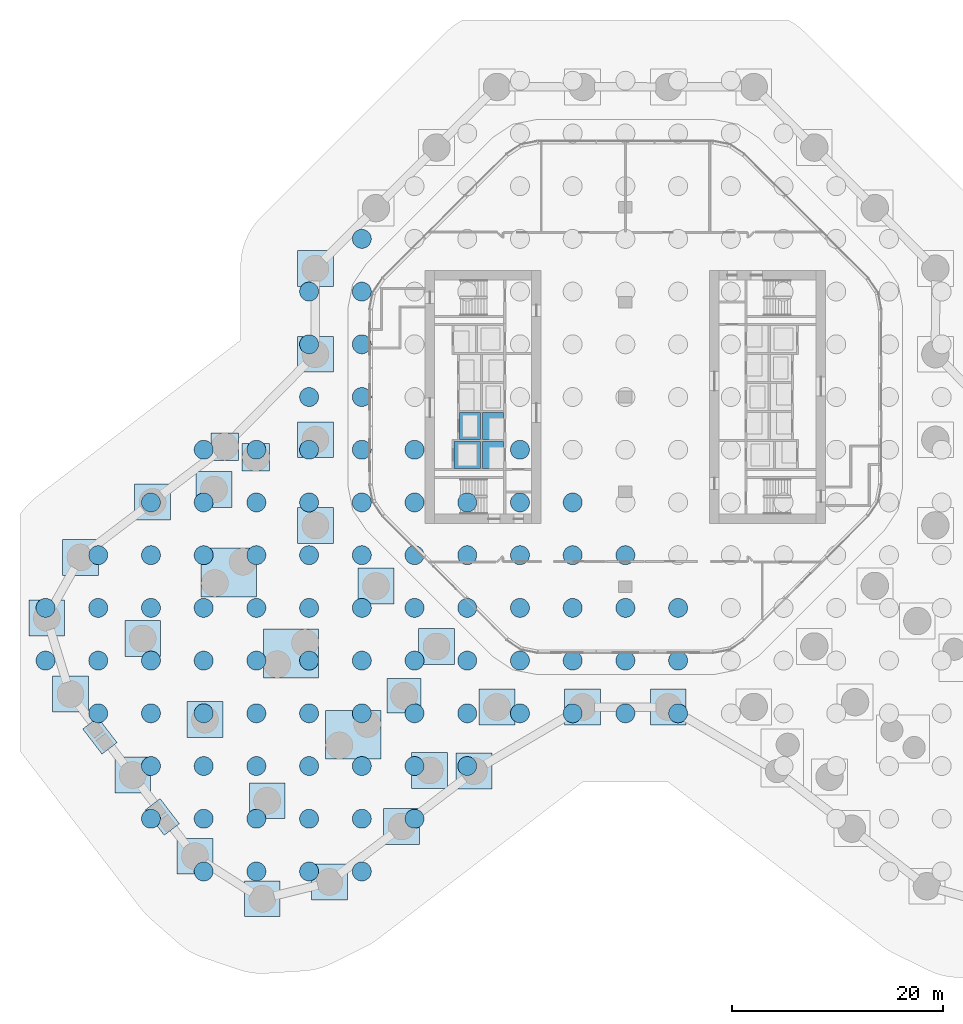
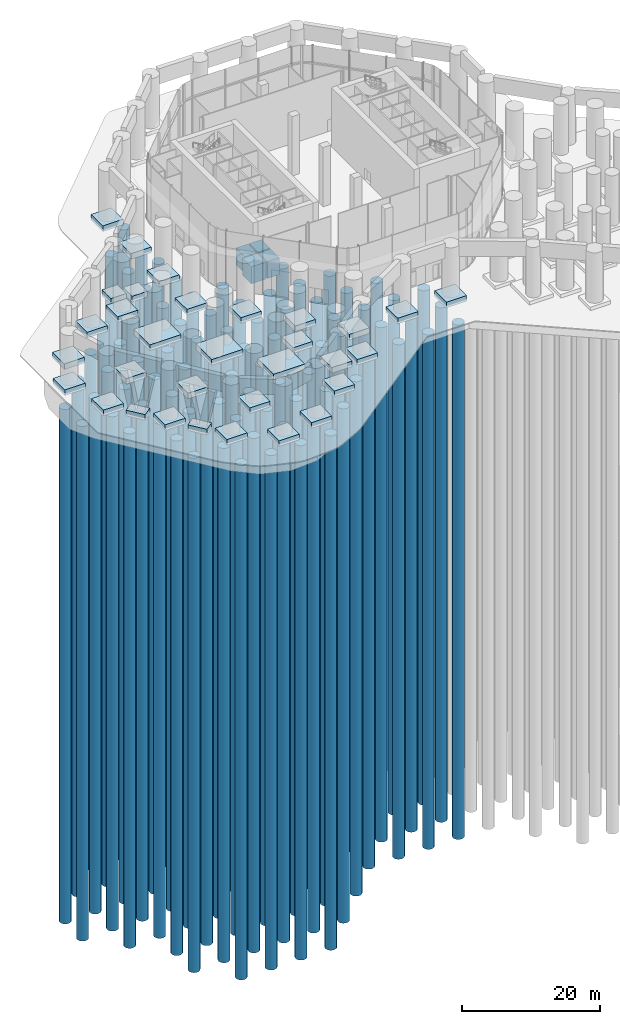
# One storey, part 1 of 31: 88 piles, 36 footings.
"""IFC4 building model written with IfcOpenShell, lengths in metres."""

import ifcopenshell
import ifcopenshell.guid

model = None  # the IFC model being written
_history = None  # IfcOwnerHistory: only IFC2X3 demands one
_inside = {}  # id of a spatial element -> (the spatial element, [elements in it])
_under = {}  # id of a project, library or spatial element -> (it, [spatial elements below it])
_declared = {}  # id of a project -> (the project, [libraries it declares])
_typed = {}  # id of a type object -> (the type object, [elements of that type])
_made_of = {}  # id of a material, layer set ... -> (it, [elements and type objects made of it])


def new_model(schema):
    """Start an empty IFC model of exactly this schema.

    Asked for "IFC4X3", IfcOpenShell would pick the latest addendum, in which some entities
    have other attributes; the version numbers below select the first issue.
    IFC2X3 requires an IfcOwnerHistory on every rooted entity: one is made here for all.
    """
    global model, _history
    if schema == "IFC4X3":
        model = ifcopenshell.file(schema_version=(4, 3, 0, 0))
    else:
        model = ifcopenshell.file(schema=schema)
    _inside.clear()
    _under.clear()
    _declared.clear()
    _typed.clear()
    _made_of.clear()
    _history = None
    if model.schema == "IFC2X3":
        org = make("IfcOrganization", Name="unknown")
        user = make(
            "IfcPersonAndOrganization",
            ThePerson=make("IfcPerson", FamilyName="unknown"),
            TheOrganization=org,
        )
        app = make(
            "IfcApplication",
            ApplicationDeveloper=org,
            Version="unknown",
            ApplicationFullName="unknown",
            ApplicationIdentifier="unknown",
        )
        _history = make(
            "IfcOwnerHistory",
            OwningUser=user,
            OwningApplication=app,
            ChangeAction="ADDED",
            CreationDate=0,
        )
    return model


def make(cls, **values):
    """One entity of the class cls with the attributes given. An attribute that is None is left unset."""
    return model.create_entity(
        cls, **{name: value for name, value in values.items() if value is not None}
    )


def rooted(cls, **values):
    """An entity with a GlobalId (a new one), such as an element, a storey or a relation."""
    return make(cls, GlobalId=ifcopenshell.guid.new(), OwnerHistory=_history, **values)


def si_unit(unit_type, name, prefix=None):
    """IfcSIUnit, for example si_unit("LENGTHUNIT", "METRE", prefix="MILLI")."""
    return make("IfcSIUnit", UnitType=unit_type, Prefix=prefix, Name=name)


def assignment(units):
    """IfcUnitAssignment: the units of a project."""
    return None if units is None else make("IfcUnitAssignment", Units=units)


def point(xyz):
    """IfcCartesianPoint."""
    return None if xyz is None else make("IfcCartesianPoint", Coordinates=xyz)


def direction(xyz):
    """IfcDirection."""
    return None if xyz is None else make("IfcDirection", DirectionRatios=xyz)


def frame(location, z_axis=None, x_axis=None):
    """IfcAxis2Placement3D, a coordinate frame: its origin and axes. An axis left out is left unset."""
    return make(
        "IfcAxis2Placement3D",
        Location=point(location),
        Axis=direction(z_axis),
        RefDirection=direction(x_axis),
    )


def frame_2d(location, x_axis=None):
    """IfcAxis2Placement2D, a coordinate frame in the plane: its origin and x axis."""
    return make(
        "IfcAxis2Placement2D", Location=point(location), RefDirection=direction(x_axis)
    )


def origin():
    """The frame at (0, 0, 0) with its axes left unset."""
    return frame((0.0, 0.0, 0.0))


def origin_2d():
    """The frame at (0, 0) in the plane with its x axis left unset."""
    return frame_2d((0.0, 0.0))


def place(relative_to, where):
    """IfcLocalPlacement: puts the frame where relative to a parent placement (None: the world)."""
    return make(
        "IfcLocalPlacement", PlacementRelTo=relative_to, RelativePlacement=where
    )


def context(
    kind, dimensions, precision=None, world=None, true_north=None, identifier=None
):
    """IfcGeometricRepresentationContext, for example the 3D "Model" context."""
    return make(
        "IfcGeometricRepresentationContext",
        ContextIdentifier=identifier,
        ContextType=kind,
        CoordinateSpaceDimension=dimensions,
        Precision=precision,
        WorldCoordinateSystem=world,
        TrueNorth=true_north,
    )


def subcontext(parent, identifier, kind, view, scale=None):
    """IfcGeometricRepresentationSubContext, for example "Body" below "Model"."""
    return make(
        "IfcGeometricRepresentationSubContext",
        ContextIdentifier=identifier,
        ContextType=kind,
        ParentContext=parent,
        TargetScale=scale,
        TargetView=view,
    )


def project(units=None, contexts=None):
    """IfcProject with its units and contexts."""
    return rooted(
        "IfcProject",
        Name="project",
        RepresentationContexts=contexts,
        UnitsInContext=assignment(units),
    )


def spatial(cls, under=None, at=None, **own):
    """A site, building, storey or space (cls), placed at a placement, below another one or the project."""
    s = rooted(cls, ObjectPlacement=at, **own)
    if under is not None:
        _under.setdefault(under.id(), (under, []))[1].append(s)
    return s


def polyline(points):
    """IfcPolyline through the points."""
    return make("IfcPolyline", Points=[point(p) for p in points])


def profile(cls, at=None, kind="AREA", **sizes):
    """A parametric profile (cls). Its sizes go by their IFC names, for example OverallWidth=200.0."""
    return make(cls, ProfileType=kind, Position=at, **sizes)


def circle(**sizes):
    """IfcCircleProfileDef."""
    return profile("IfcCircleProfileDef", **sizes)


def outline(outer, holes=None, kind="AREA"):
    """IfcArbitraryClosedProfileDef: a profile drawn as a closed curve; with holes, ...WithVoids."""
    if holes is None:
        return make("IfcArbitraryClosedProfileDef", ProfileType=kind, OuterCurve=outer)
    return make(
        "IfcArbitraryProfileDefWithVoids",
        ProfileType=kind,
        OuterCurve=outer,
        InnerCurves=holes,
    )


def extrude(swept, where, along, depth):
    """IfcExtrudedAreaSolid: the profile swept, set in the frame where, extruded along a direction by depth."""
    return make(
        "IfcExtrudedAreaSolid",
        SweptArea=swept,
        Position=where,
        ExtrudedDirection=direction(along),
        Depth=depth,
    )


def shape(context_of_items, identifier, shape_type, items):
    """IfcShapeRepresentation: the items that make up one representation, for example the "Body"."""
    return make(
        "IfcShapeRepresentation",
        ContextOfItems=context_of_items,
        RepresentationIdentifier=identifier,
        RepresentationType=shape_type,
        Items=items,
    )


def material(Name=None, Category=None):
    """IfcMaterial."""
    return make("IfcMaterial", Name=Name, Category=Category)


def layer(
    of_material, thickness, ventilated=None, Name=None, Category=None, Priority=None
):
    """IfcMaterialLayer: one layer of a wall or slab, of a material (None: an air gap)."""
    return make(
        "IfcMaterialLayer",
        Material=of_material,
        LayerThickness=thickness,
        IsVentilated=ventilated,
        Name=Name,
        Category=Category,
        Priority=Priority,
    )


def layer_set(layers, Name=None):
    """IfcMaterialLayerSet."""
    return make("IfcMaterialLayerSet", MaterialLayers=layers, LayerSetName=Name)


def material_profile(
    of_material, cross_section, Name=None, Category=None, Priority=None
):
    """IfcMaterialProfile: a cross section and its material."""
    return make(
        "IfcMaterialProfile",
        Name=Name,
        Material=of_material,
        Profile=cross_section,
        Priority=Priority,
        Category=Category,
    )


def profile_set(profiles, Name=None, composite=None):
    """IfcMaterialProfileSet."""
    return make(
        "IfcMaterialProfileSet",
        Name=Name,
        MaterialProfiles=profiles,
        CompositeProfile=composite,
    )


def made_of(thing, what):
    """Note that an element or type object is made of a material, layer set ...; save() writes the relation."""
    if what is not None:
        _made_of.setdefault(what.id(), (what, []))[1].append(thing)
    return thing


def type_object(cls, material=None, **own):
    """A type object (cls), such as IfcWallType, which elements share."""
    return made_of(rooted(cls, **own), material)


def element(
    cls,
    number,
    at=None,
    inside=None,
    cuts=None,
    type_object=None,
    material=None,
    context=None,
    identifier="Body",
    shape_type=None,
    held_by="IfcProductDefinitionShape",
    body=None,
    shapes=None,
    **own,
):
    """One element of the class cls, such as IfcWall. Its Tag is "e" and its number.

    at: its placement. inside: the storey or other place that contains it. cuts: it is an
    opening in that element (IfcRelVoidsElement). A single representation is given by context,
    identifier, shape_type and body (its items); several are given by shapes. held_by: the class
    of the entity that holds the representations. save() writes the other relations.
    """
    e = rooted(cls, Tag="e%d" % number, ObjectPlacement=at, **own)
    if body is not None:
        shapes = [shape(context, identifier, shape_type, body)]
    if shapes is not None:
        e.Representation = make(held_by, Representations=shapes)
    if inside is not None:
        _inside.setdefault(inside.id(), (inside, []))[1].append(e)
    if cuts is not None:
        rooted(
            "IfcRelVoidsElement", RelatingBuildingElement=cuts, RelatedOpeningElement=e
        )
    if type_object is not None:
        _typed.setdefault(type_object.id(), (type_object, []))[1].append(e)
    return made_of(e, material)


def aggregate(whole, parts):
    """IfcRelAggregates: a whole, such as a stair, and the parts it consists of."""
    return rooted("IfcRelAggregates", RelatingObject=whole, RelatedObjects=parts)


def save(model, path):
    """Write the relations noted so far, then the file.

    IfcRelAggregates (storeys below a building ...), IfcRelContainedInSpatialStructure (elements
    in a storey), IfcRelDefinesByType, IfcRelAssociatesMaterial and IfcRelDeclares: one each for
    every whole, place, type object, material and project.
    """
    for whole, parts in _under.values():
        aggregate(whole, parts)
    for where, things in _inside.values():
        rooted(
            "IfcRelContainedInSpatialStructure",
            RelatedElements=things,
            RelatingStructure=where,
        )
    for kind, things in _typed.values():
        rooted("IfcRelDefinesByType", RelatedObjects=things, RelatingType=kind)
    for what, things in _made_of.values():
        rooted("IfcRelAssociatesMaterial", RelatedObjects=things, RelatingMaterial=what)
    for by, libraries in _declared.values():
        rooted("IfcRelDeclares", RelatingContext=by, RelatedDefinitions=libraries)
    model.write(path)


model = new_model("IFC4")

# Units and contexts
model_context = context("Model", 3, precision=1e-05, world=origin(), true_north=direction((0.0, 1.0)))
body_context = subcontext(model_context, "Body", "Model", "MODEL_VIEW")
ifc_project = project(units=[si_unit("LENGTHUNIT", "METRE"), si_unit("AREAUNIT", "SQUARE_METRE"), si_unit("VOLUMEUNIT", "CUBIC_METRE"), si_unit("PLANEANGLEUNIT", "RADIAN"), si_unit("MASSUNIT", "GRAM", prefix="KILO")], contexts=[model_context])

# Site, building, storey
site_placement = place(None, origin())
site = spatial("IfcSite", under=ifc_project, at=site_placement, CompositionType="ELEMENT")
building_placement = place(site_placement, origin())
building = spatial("IfcBuilding", under=site, at=building_placement, Name="Orlundy Tower", CompositionType="ELEMENT")
storey_placement = place(building_placement, origin())
storey = spatial("IfcBuildingStorey", under=building, at=storey_placement, Name="L00", CompositionType="ELEMENT", Elevation=0.0)

# Piles
ifc_material_1 = material(Name="Concrete C40/50", Category="concrete")
ifc_material_profile = material_profile(ifc_material_1, circle(Radius=0.89990234375, at=origin_2d()), Name="BP1800")
ifc_profile_set = profile_set([ifc_material_profile], Name="Concrete C40/50")
pile_type = type_object("IfcPileType", Name="BORED PILE 1800 C40/50", PredefinedType="BORED", material=ifc_profile_set)
for number, where, z_axis, x_axis, name in (
    (1, (-40.0, -45.0, -4.39990234375), (0.0, 0.0, -1.0), (1.0, 0.0, 0.0), "Bored pile 001"),
    (2, (-35.0, -45.0, -4.39990234375), (0.0, 0.0, -1.0), (1.0, 0.0, 0.0), "Bored pile 002"),
    (3, (-30.0, -45.0, -4.39990234375), (0.0, 0.0, -1.0), (1.0, 0.0, 0.0), "Bored pile 003"),
    (4, (-25.0, -45.0, -4.39990234375), (0.0, 0.0, -1.0), (1.0, 0.0, 0.0), "Bored pile 004"),
    (5, (-45.0, -40.0, -4.39990234375), (0.0, 0.0, -1.0), (1.0, 0.0, 0.0), "Bored pile 009"),
    (6, (-40.0, -40.0, -4.39990234375), (0.0, 0.0, -1.0), (1.0, 0.0, 0.0), "Bored pile 010"),
    (7, (-35.0, -40.0, -4.39990234375), (0.0, 0.0, -1.0), (1.0, 0.0, 0.0), "Bored pile 011"),
    (8, (-30.0, -40.0, -4.39990234375), (0.0, 0.0, -1.0), (1.0, 0.0, 0.0), "Bored pile 012"),
    (9, (-25.0, -40.0, -4.39990234375), (0.0, 0.0, -1.0), (1.0, 0.0, 0.0), "Bored pile 013"),
    (10, (-20.0, -40.0, -4.39990234375), (0.0, 0.0, -1.0), (1.0, 0.0, 0.0), "Bored pile 014"),
    (11, (-45.0, -35.0, -4.39990234375), (0.0, 0.0, -1.0), (1.0, 0.0, 0.0), "Bored pile 021"),
    (12, (-40.0, -35.0, -4.39990234375), (0.0, 0.0, -1.0), (1.0, 0.0, 0.0), "Bored pile 022"),
    (13, (-35.0, -35.0, -4.39990234375), (0.0, 0.0, -1.0), (1.0, 0.0, 0.0), "Bored pile 023"),
    (14, (-30.0, -35.0, -4.39990234375), (0.0, 0.0, -1.0), (1.0, 0.0, 0.0), "Bored pile 024"),
    (15, (-25.0, -35.0, -4.39990234375), (0.0, 0.0, -1.0), (1.0, 0.0, 0.0), "Bored pile 025"),
    (16, (-20.0, -35.0, -4.39990234375), (0.0, 0.0, -1.0), (1.0, 0.0, 0.0), "Bored pile 026"),
    (17, (-15.0, -35.0, -4.39990234375), (0.0, 0.0, -1.0), (1.0, 0.0, 0.0), "Bored pile 027"),
    (18, (-50.0, -30.0, -4.39990234375), (0.0, 0.0, -1.0), (1.0, 0.0, 0.0), "Bored pile 036"),
    (19, (-45.0, -30.0, -4.39990234375), (0.0, 0.0, -1.0), (1.0, 0.0, 0.0), "Bored pile 037"),
    (20, (-40.0, -30.0, -4.39990234375), (0.0, 0.0, -1.0), (1.0, 0.0, 0.0), "Bored pile 038"),
    (21, (-35.0, -30.0, -4.39990234375), (0.0, 0.0, -1.0), (1.0, 0.0, 0.0), "Bored pile 039"),
    (22, (-30.0, -30.0, -4.39990234375), (0.0, 0.0, -1.0), (1.0, 0.0, 0.0), "Bored pile 040"),
    (23, (-25.0, -30.0, -4.39990234375), (0.0, 0.0, -1.0), (1.0, 0.0, 0.0), "Bored pile 041"),
    (24, (-20.0, -30.0, -4.39990234375), (0.0, 0.0, -1.0), (1.0, 0.0, 0.0), "Bored pile 042"),
    (25, (-15.0, -30.0, -4.39990234375), (0.0, 0.0, -1.0), (1.0, 0.0, 0.0), "Bored pile 043"),
    (26, (-10.0, -30.0, -4.39990234375), (0.0, 0.0, -1.0), (1.0, 0.0, 0.0), "Bored pile 044"),
    (27, (-5.0, -30.0, -4.39990234375), (0.0, 0.0, -1.0), (1.0, 0.0, 0.0), "Bored pile 045"),
    (28, (0.0, -30.0, -4.39990234375), (0.0, 0.0, -1.0), (1.0, 0.0, 0.0), "Bored pile 046"),
    (29, (5.0, -30.0, -4.39990234375), (0.0, 0.0, -1.0), (1.0, 0.0, 0.0), "Bored pile 047"),
    (30, (-55.0, -25.0, -4.39990234375), (0.0, 0.0, -1.0), (1.0, 0.0, 0.0), "Bored pile 057"),
    (31, (-50.0, -25.0, -4.39990234375), (0.0, 0.0, -1.0), (1.0, 0.0, 0.0), "Bored pile 058"),
    (32, (-45.0, -25.0, -4.39990234375), (0.0, 0.0, -1.0), (1.0, 0.0, 0.0), "Bored pile 059"),
    (33, (-40.0, -25.0, -4.39990234375), (0.0, 0.0, -1.0), (1.0, 0.0, 0.0), "Bored pile 060"),
    (34, (-35.0, -25.0, -4.39990234375), (0.0, 0.0, -1.0), (1.0, 0.0, 0.0), "Bored pile 061"),
    (35, (-30.0, -25.0, -4.39990234375), (0.0, 0.0, -1.0), (1.0, 0.0, 0.0), "Bored pile 062"),
    (36, (-25.0, -25.0, -4.39990234375), (0.0, 0.0, -1.0), (1.0, 0.0, 0.0), "Bored pile 063"),
    (37, (-20.0, -25.0, -4.39990234375), (0.0, 0.0, -1.0), (1.0, 0.0, 0.0), "Bored pile 064"),
    (38, (-15.0, -25.0, -4.39990234375), (0.0, 0.0, -1.0), (1.0, 0.0, 0.0), "Bored pile 065"),
    (39, (-10.0, -25.0, -4.39990234375), (0.0, 0.0, -1.0), (1.0, 0.0, 0.0), "Bored pile 066"),
    (40, (-5.0, -25.0, -4.39990234375), (0.0, 0.0, -1.0), (1.0, 0.0, 0.0), "Bored pile 067"),
    (41, (0.0, -25.0, -4.39990234375), (0.0, 0.0, -1.0), (1.0, 0.0, 0.0), "Bored pile 068"),
    (42, (5.0, -25.0, -4.39990234375), (0.0, 0.0, -1.0), (1.0, 0.0, 0.0), "Bored pile 069"),
    (43, (-55.0, -20.0, -4.39990234375), (0.0, 0.0, -1.0), (1.0, 0.0, 0.0), "Bored pile 080"),
    (44, (-50.0, -20.0, -4.39990234375), (0.0, 0.0, -1.0), (1.0, 0.0, 0.0), "Bored pile 081"),
    (45, (-45.0, -20.0, -4.39990234375), (0.0, 0.0, -1.0), (1.0, 0.0, 0.0), "Bored pile 082"),
    (46, (-40.0, -20.0, -4.39990234375), (0.0, 0.0, -1.0), (1.0, 0.0, 0.0), "Bored pile 083"),
    (47, (-35.0, -20.0, -4.39990234375), (0.0, 0.0, -1.0), (1.0, 0.0, 0.0), "Bored pile 084"),
    (48, (-30.0, -20.0, -4.39990234375), (0.0, 0.0, -1.0), (1.0, 0.0, 0.0), "Bored pile 085"),
    (49, (-25.0, -20.0, -4.39990234375), (0.0, 0.0, -1.0), (1.0, 0.0, 0.0), "Bored pile 086"),
    (50, (-20.0, -20.0, -4.39990234375), (0.0, 0.0, -1.0), (1.0, 0.0, 0.0), "Bored pile 087"),
    (51, (-15.0, -20.0, -4.39990234375), (0.0, 0.0, -1.0), (1.0, 0.0, 0.0), "Bored pile 088"),
    (52, (-10.0, -20.0, -4.39990234375), (0.0, 0.0, -1.0), (1.0, 0.0, 0.0), "Bored pile 089"),
    (53, (-5.0, -20.0, -4.39990234375), (0.0, 0.0, -1.0), (1.0, 0.0, 0.0), "Bored pile 090"),
    (54, (0.0, -20.0, -4.39990234375), (0.0, 0.0, -1.0), (1.0, 0.0, 0.0), "Bored pile 091"),
    (55, (5.0, -20.0, -4.39990234375), (0.0, 0.0, -1.0), (1.0, 0.0, 0.0), "Bored pile 092"),
    (56, (-50.0, -15.0, -4.39990234375), (0.0, 0.0, -1.0), (1.0, 0.0, 0.0), "Bored pile 103"),
    (57, (-45.0, -15.0, -4.39990234375), (0.0, 0.0, -1.0), (1.0, 0.0, 0.0), "Bored pile 104"),
    (58, (-40.0, -15.0, -4.39990234375), (0.0, 0.0, -1.0), (1.0, 0.0, 0.0), "Bored pile 105"),
    (59, (-35.0, -15.0, -4.39990234375), (0.0, 0.0, -1.0), (1.0, 0.0, 0.0), "Bored pile 106"),
    (60, (-30.0, -15.0, -4.39990234375), (0.0, 0.0, -1.0), (1.0, 0.0, 0.0), "Bored pile 107"),
    (61, (-25.0, -15.0, -4.39990234375), (0.0, 0.0, -1.0), (1.0, 0.0, 0.0), "Bored pile 108"),
    (62, (-20.0, -15.0, -4.39990234375), (0.0, 0.0, -1.0), (1.0, 0.0, 0.0), "Bored pile 109"),
    (63, (-15.0, -15.0, -4.39990234375), (0.0, 0.0, -1.0), (1.0, 0.0, 0.0), "Bored pile 110"),
    (64, (-10.0, -15.0, -4.39990234375), (0.0, 0.0, -1.0), (1.0, 0.0, 0.0), "Bored pile 111"),
    (65, (-5.0, -15.0, -4.39990234375), (0.0, 0.0, -1.0), (1.0, 0.0, 0.0), "Bored pile 112"),
    (66, (0.0, -15.0, -4.39990234375), (0.0, 0.0, -1.0), (1.0, 0.0, 0.0), "Bored pile 113"),
    (67, (-45.0, -10.0, -4.39990234375), (0.0, 0.0, -1.0), (1.0, 0.0, 0.0), "Bored pile 124"),
    (68, (-40.0, -10.0, -4.39990234375), (0.0, 0.0, -1.0), (1.0, 0.0, 0.0), "Bored pile 125"),
    (69, (-35.0, -10.0, -4.39990234375), (0.0, 0.0, -1.0), (1.0, 0.0, 0.0), "Bored pile 126"),
    (70, (-30.0, -10.0, -4.39990234375), (0.0, 0.0, -1.0), (1.0, 0.0, 0.0), "Bored pile 127"),
    (71, (-25.0, -10.0, -4.39990234375), (0.0, 0.0, -1.0), (1.0, 0.0, 0.0), "Bored pile 128"),
    (72, (-20.0, -10.0, -4.39990234375), (0.0, 0.0, -1.0), (1.0, 0.0, 0.0), "Bored pile 129"),
    (73, (-15.0, -10.0, -4.39990234375), (0.0, 0.0, -1.0), (1.0, 0.0, 0.0), "Bored pile 130"),
    (74, (-10.0, -10.0, -4.39990234375), (0.0, 0.0, -1.0), (1.0, 0.0, 0.0), "Bored pile 131"),
    (75, (-5.0, -10.0, -4.39990234375), (0.0, 0.0, -1.0), (1.0, 0.0, 0.0), "Bored pile 132"),
    (76, (-40.0, -5.0, -4.39990234375), (0.0, 0.0, -1.0), (1.0, 0.0, 0.0), "Bored pile 143"),
    (77, (-35.0, -5.0, -4.39990234375), (0.0, 0.0, -1.0), (1.0, 0.0, 0.0), "Bored pile 144"),
    (78, (-30.0, -5.0, -4.39990234375), (0.0, 0.0, -1.0), (1.0, 0.0, 0.0), "Bored pile 145"),
    (79, (-25.0, -5.0, -4.39990234375), (0.0, 0.0, -1.0), (1.0, 0.0, 0.0), "Bored pile 146"),
    (80, (-20.0, -5.0, -4.39990234375), (0.0, 0.0, -1.0), (1.0, 0.0, 0.0), "Bored pile 147"),
    (81, (-10.0, -5.0, -4.39990234375), (0.0, 0.0, -1.0), (1.0, 0.0, 0.0), "Bored pile 148"),
    (82, (-30.0, 0.0, -4.39990234375), (0.0, 0.0, -1.0), (1.0, 0.0, 0.0), "Bored pile 158"),
    (83, (-25.0, 0.0, -4.39990234375), (0.0, 0.0, -1.0), (1.0, 0.0, 0.0), "Bored pile 159"),
    (84, (-30.0, 5.0, -4.39990234375), (0.0, 0.0, -1.0), (1.0, 0.0, 0.0), "Bored pile 169"),
    (85, (-25.0, 5.0, -4.39990234375), (0.0, 0.0, -1.0), (1.0, 0.0, 0.0), "Bored pile 170"),
    (86, (-30.0, 10.0, -4.39990234375), (0.0, 0.0, -1.0), (1.0, 0.0, 0.0), "Bored pile 180"),
    (87, (-25.0, 10.0, -4.39990234375), (0.0, 0.0, -1.0), (1.0, 0.0, 0.0), "Bored pile 181"),
    (88, (-25.0, 15.0, -4.39990234375), (0.0, 0.0, -1.0), (1.0, 0.0, 0.0), "Bored pile 193"),
):
    element("IfcPile", number, at=place(storey_placement, frame(where, z_axis=z_axis, x_axis=x_axis)), inside=storey, type_object=pile_type, Name=name, PredefinedType="BORED", context=body_context, shape_type="SweptSolid", body=[
        extrude(circle(Radius=0.89990234375, at=origin_2d()), origin(), (0.0, 0.0, 1.0), 91.0),
    ])

# Footings
ifc_material_2 = material(Name="Concrete C50/60", Category="concrete")
ifc_layer_1 = layer(ifc_material_2, 1.0)
ifc_layer_set_1 = layer_set([ifc_layer_1], Name="PIT BASE C50/60")
footing_type_1 = type_object("IfcFootingType", Name="PIT BASE C50/60", PredefinedType="PAD_FOOTING", material=ifc_layer_set_1)
footing_1_placement = place(storey_placement, frame((0.0, 0.0, -4.39990234375)))
element("IfcFooting", 89, at=footing_1_placement, inside=storey, type_object=footing_type_1, Name="Lift pit base LPD-01", PredefinedType="PAD_FOOTING", context=body_context, shape_type="SweptSolid", body=[
    extrude(outline(polyline([(-11.5400390625, -6.77490234375), (-13.5400390625, -6.77490234375), (-13.5400390625, -4.22509765625), (-11.5400390625, -4.22509765625), (-11.5400390625, -6.77490234375)])), origin(), (0.0, 0.0, 1.0), 3.0),
])
footing_2_placement = place(storey_placement, frame((0.0, 0.0, -4.39990234375)))
element("IfcFooting", 90, at=footing_2_placement, inside=storey, type_object=footing_type_1, Name="Lift pit base LV-01", PredefinedType="PAD_FOOTING", context=body_context, shape_type="SweptSolid", body=[
    extrude(outline(polyline([(-13.739990234375, -6.77490234375), (-16.239990234375, -6.77490234375), (-16.239990234375, -4.22509765625), (-13.739990234375, -4.22509765625), (-13.739990234375, -6.77490234375)])), origin(), (0.0, 0.0, 1.0), 3.0),
])
footing_3_placement = place(storey_placement, frame((0.0, 0.0, -4.39990234375)))
element("IfcFooting", 91, at=footing_3_placement, inside=storey, type_object=footing_type_1, Name="Lift pit base LS-01", PredefinedType="PAD_FOOTING", context=body_context, shape_type="SweptSolid", body=[
    extrude(outline(polyline([(-11.5400390625, -4.02490234375), (-13.5400390625, -4.02490234375), (-13.5400390625, -1.47509765625), (-11.5400390625, -1.47509765625), (-11.5400390625, -4.02490234375)])), origin(), (0.0, 0.0, 1.0), 3.0),
])
footing_4_placement = place(storey_placement, frame((0.0, 0.0, -4.39990234375)))
element("IfcFooting", 92, at=footing_4_placement, inside=storey, type_object=footing_type_1, Name="Lift pit base LS-03", PredefinedType="PAD_FOOTING", context=body_context, shape_type="SweptSolid", body=[
    extrude(outline(polyline([(-13.739990234375, -4.02490234375), (-15.739990234375, -4.02490234375), (-15.739990234375, -1.47509765625), (-13.739990234375, -1.47509765625), (-13.739990234375, -4.02490234375)])), origin(), (0.0, 0.0, 1.0), 3.0),
])
ifc_material_3 = material(Name="Concrete C50/60", Category="concrete")
ifc_layer_2 = layer(ifc_material_3, 1.0)
ifc_layer_set_2 = layer_set([ifc_layer_2], Name="STILT PEDESTAL C50/60")
footing_type_2 = type_object("IfcFootingType", Name="STILT PEDESTAL C50/60", PredefinedType="PAD_FOOTING", material=ifc_layer_set_2)
footing_5_placement = place(storey_placement, frame((0.0, 0.0, -0.39990234375)))
element("IfcFooting", 93, at=footing_5_placement, inside=storey, type_object=footing_type_2, Name="Stilt pedestal C-B1-1", PredefinedType="PAD_FOOTING", context=body_context, shape_type="SweptSolid", body=[
    extrude(outline(polyline([(-36.69091796875, -5.998046875), (-36.69091796875, -3.39794921875), (-39.291015625, -3.39794921875), (-39.291015625, -5.998046875), (-36.69091796875, -5.998046875)])), origin(), (0.0, 0.0, 1.0), 1.0),
])
footing_6_placement = place(storey_placement, frame((0.0, 0.0, -0.39990234375)))
element("IfcFooting", 94, at=footing_6_placement, inside=storey, type_object=footing_type_2, Name="Stilt pedestal C-B1-2", PredefinedType="PAD_FOOTING", context=body_context, shape_type="SweptSolid", body=[
    extrude(outline(polyline([(-43.139892578125, -11.654052734375), (-43.139892578125, -8.25390625), (-46.5400390625, -8.25390625), (-46.5400390625, -11.654052734375), (-43.139892578125, -11.654052734375)])), origin(), (0.0, 0.0, 1.0), 1.0),
])
footing_7_placement = place(storey_placement, frame((0.0, 0.0, -0.39990234375)))
element("IfcFooting", 95, at=footing_7_placement, inside=storey, type_object=footing_type_2, Name="Stilt pedestal C-B1-3", PredefinedType="PAD_FOOTING", context=body_context, shape_type="SweptSolid", body=[
    extrude(outline(polyline([(-49.987060546875, -16.912109375), (-49.987060546875, -13.511962890625), (-53.386962890625, -13.511962890625), (-53.386962890625, -16.912109375), (-49.987060546875, -16.912109375)])), origin(), (0.0, 0.0, 1.0), 1.0),
])
footing_8_placement = place(storey_placement, frame((0.0, 0.0, -0.39990234375)))
element("IfcFooting", 96, at=footing_8_placement, inside=storey, type_object=footing_type_2, Name="Stilt pedestal C-B1-5", PredefinedType="PAD_FOOTING", context=body_context, shape_type="SweptSolid", body=[
    extrude(outline(polyline([(-53.18408203125, -22.64599609375), (-53.18408203125, -19.24609375), (-56.583984375, -19.24609375), (-56.583984375, -22.64599609375), (-53.18408203125, -22.64599609375)])), origin(), (0.0, 0.0, 1.0), 1.0),
])
footing_9_placement = place(storey_placement, frame((0.0, 0.0, -0.39990234375)))
element("IfcFooting", 97, at=footing_9_placement, inside=storey, type_object=footing_type_2, Name="Stilt pedestal C-B1-6", PredefinedType="PAD_FOOTING", context=body_context, shape_type="SweptSolid", body=[
    extrude(outline(polyline([(-37.31591796875, -10.470947265625), (-37.31591796875, -7.071044921875), (-40.716064453125, -7.071044921875), (-40.716064453125, -10.470947265625), (-37.31591796875, -10.470947265625)])), origin(), (0.0, 0.0, 1.0), 1.0),
])
footing_10_placement = place(storey_placement, frame((0.0, 0.0, -0.39990234375)))
element("IfcFooting", 98, at=footing_10_placement, inside=storey, type_object=footing_type_2, Name="Stilt pedestal C-B1-7", PredefinedType="PAD_FOOTING", context=body_context, shape_type="SweptSolid", body=[
    extrude(outline(polyline([(-33.75, -7.027099609375), (-33.75, -4.427001953125), (-36.35009765625, -4.427001953125), (-36.35009765625, -7.027099609375), (-33.75, -7.027099609375)])), origin(), (0.0, 0.0, 1.0), 1.0),
])
footing_11_placement = place(storey_placement, frame((0.0, 0.0, -0.39990234375)))
element("IfcFooting", 99, at=footing_11_placement, inside=storey, type_object=footing_type_2, Name="Stilt pedestal C-B2-2 and 1 more", PredefinedType="PAD_FOOTING", context=body_context, shape_type="SweptSolid", body=[
    extrude(outline(polyline([(-34.989990234375, -18.948974609375), (-34.989990234375, -14.320068359375), (-40.235107421875, -14.320068359375), (-40.235107421875, -18.948974609375), (-34.989990234375, -18.948974609375)])), origin(), (0.0, 0.0, 1.0), 1.0),
])
footing_12_placement = place(storey_placement, frame((0.0, 0.0, -0.39990234375)))
element("IfcFooting", 100, at=footing_12_placement, inside=storey, type_object=footing_type_2, Name="Stilt pedestal C-B2-3", PredefinedType="PAD_FOOTING", context=body_context, shape_type="SweptSolid", body=[
    extrude(outline(polyline([(-44.083984375, -24.60498046875), (-44.083984375, -21.205078125), (-47.48388671875, -21.205078125), (-47.48388671875, -24.60498046875), (-44.083984375, -24.60498046875)])), origin(), (0.0, 0.0, 1.0), 1.0),
])
footing_13_placement = place(storey_placement, frame((0.0, 0.0, -0.39990234375)))
element("IfcFooting", 101, at=footing_13_placement, inside=storey, type_object=footing_type_2, Name="Stilt pedestal C-B2-5", PredefinedType="PAD_FOOTING", context=body_context, shape_type="SweptSolid", body=[
    extrude(outline(polyline([(-50.93310546875, -29.861083984375), (-50.93310546875, -26.4609375), (-54.3330078125, -26.4609375), (-54.3330078125, -29.861083984375), (-50.93310546875, -29.861083984375)])), origin(), (0.0, 0.0, 1.0), 1.0),
])
footing_14_placement = place(storey_placement, frame((0.0, 0.0, -0.39990234375)))
element("IfcFooting", 102, at=footing_14_placement, inside=storey, type_object=footing_type_2, Name="Stilt pedestal C-B3-2 and 1 more", PredefinedType="PAD_FOOTING", context=body_context, shape_type="SweptSolid", body=[
    extrude(outline(polyline([(-29.0849609375, -26.64501953125), (-29.0849609375, -22.01611328125), (-34.330078125, -22.01611328125), (-34.330078125, -26.64501953125), (-29.0849609375, -26.64501953125)])), origin(), (0.0, 0.0, 1.0), 1.0),
])
footing_15_placement = place(storey_placement, frame((0.0, 0.0, -0.39990234375)))
element("IfcFooting", 103, at=footing_15_placement, inside=storey, type_object=footing_type_2, Name="Stilt pedestal C-B3-3", PredefinedType="PAD_FOOTING", context=body_context, shape_type="SweptSolid", body=[
    extrude(outline(polyline([(-38.178955078125, -32.300048828125), (-38.178955078125, -28.89990234375), (-41.5791015625, -28.89990234375), (-41.5791015625, -32.300048828125), (-38.178955078125, -32.300048828125)])), origin(), (0.0, 0.0, 1.0), 1.0),
])
footing_16_placement = place(storey_placement, frame((0.0, 0.0, -0.39990234375)))
element("IfcFooting", 104, at=footing_16_placement, inside=storey, type_object=footing_type_2, Name="Stilt pedestal C-B3-5", PredefinedType="PAD_FOOTING", context=body_context, shape_type="SweptSolid", body=[
    extrude(outline(polyline([(-45.029052734375, -37.555908203125), (-45.029052734375, -34.156005859375), (-48.428955078125, -34.156005859375), (-48.428955078125, -37.555908203125), (-45.029052734375, -37.555908203125)])), origin(), (0.0, 0.0, 1.0), 1.0),
])
footing_17_placement = place(storey_placement, frame((0.0, 0.0, -0.39990234375)))
element("IfcFooting", 105, at=footing_17_placement, inside=storey, type_object=footing_type_2, Name="Stilt pedestal C-B4-2 and 1 more", PredefinedType="PAD_FOOTING", context=body_context, shape_type="SweptSolid", body=[
    extrude(outline(polyline([(-23.179931640625, -34.340087890625), (-23.179931640625, -29.7109375), (-28.425048828125, -29.7109375), (-28.425048828125, -34.340087890625), (-23.179931640625, -34.340087890625)])), origin(), (0.0, 0.0, 1.0), 1.0),
])
footing_18_placement = place(storey_placement, frame((0.0, 0.0, -0.39990234375)))
element("IfcFooting", 106, at=footing_18_placement, inside=storey, type_object=footing_type_2, Name="Stilt pedestal C-B4-3", PredefinedType="PAD_FOOTING", context=body_context, shape_type="SweptSolid", body=[
    extrude(outline(polyline([(-32.27392578125, -39.99609375), (-32.27392578125, -36.595947265625), (-35.674072265625, -36.595947265625), (-35.674072265625, -39.99609375), (-32.27392578125, -39.99609375)])), origin(), (0.0, 0.0, 1.0), 1.0),
])
footing_19_placement = place(storey_placement, frame((0.0, 0.0, -0.39990234375)))
element("IfcFooting", 107, at=footing_19_placement, inside=storey, type_object=footing_type_2, Name="Stilt pedestal C-B4-5", PredefinedType="PAD_FOOTING", context=body_context, shape_type="SweptSolid", body=[
    extrude(outline(polyline([(-39.1240234375, -45.251953125), (-39.1240234375, -41.85205078125), (-42.52392578125, -41.85205078125), (-42.52392578125, -45.251953125), (-39.1240234375, -45.251953125)])), origin(), (0.0, 0.0, 1.0), 1.0),
])
footing_20_placement = place(storey_placement, frame((0.0, 0.0, -0.39990234375)))
element("IfcFooting", 108, at=footing_20_placement, inside=storey, type_object=footing_type_2, Name="Stilt pedestal C-B4-7", PredefinedType="PAD_FOOTING", context=body_context, shape_type="SweptSolid", body=[
    extrude(outline(polyline([(-19.364990234375, -29.9580078125), (-19.364990234375, -26.7080078125), (-22.614990234375, -26.7080078125), (-22.614990234375, -29.9580078125), (-19.364990234375, -29.9580078125)])), origin(), (0.0, 0.0, 1.0), 1.0),
])
footing_21_placement = place(storey_placement, frame((0.0, 0.0, -0.39990234375)))
element("IfcFooting", 109, at=footing_21_placement, inside=storey, type_object=footing_type_2, Name="Stilt pedestal C-B5-1", PredefinedType="PAD_FOOTING", context=body_context, shape_type="SweptSolid", body=[
    extrude(outline(polyline([(-12.6708984375, -37.179931640625), (-12.6708984375, -33.780029296875), (-16.071044921875, -33.780029296875), (-16.071044921875, -37.179931640625), (-12.6708984375, -37.179931640625)])), origin(), (0.0, 0.0, 1.0), 1.0),
])
footing_22_placement = place(storey_placement, frame((0.0, 0.0, -0.39990234375)))
element("IfcFooting", 110, at=footing_22_placement, inside=storey, type_object=footing_type_2, Name="Stilt pedestal C-B5-2", PredefinedType="PAD_FOOTING", context=body_context, shape_type="SweptSolid", body=[
    extrude(outline(polyline([(-19.52001953125, -42.43603515625), (-19.52001953125, -39.035888671875), (-22.919921875, -39.035888671875), (-22.919921875, -42.43603515625), (-19.52001953125, -42.43603515625)])), origin(), (0.0, 0.0, 1.0), 1.0),
])
footing_23_placement = place(storey_placement, frame((0.0, 0.0, -0.39990234375)))
element("IfcFooting", 111, at=footing_23_placement, inside=storey, type_object=footing_type_2, Name="Stilt pedestal C-B5-3", PredefinedType="PAD_FOOTING", context=body_context, shape_type="SweptSolid", body=[
    extrude(outline(polyline([(-26.3720703125, -47.68798828125), (-26.3720703125, -44.2880859375), (-29.77197265625, -44.2880859375), (-29.77197265625, -47.68798828125), (-26.3720703125, -47.68798828125)])), origin(), (0.0, 0.0, 1.0), 1.0),
])
footing_24_placement = place(storey_placement, frame((0.0, 0.0, -0.39990234375)))
element("IfcFooting", 112, at=footing_24_placement, inside=storey, type_object=footing_type_2, Name="Stilt pedestal C-B5-5", PredefinedType="PAD_FOOTING", context=body_context, shape_type="SweptSolid", body=[
    extrude(outline(polyline([(-32.737060546875, -49.2919921875), (-32.737060546875, -45.89208984375), (-36.136962890625, -45.89208984375), (-36.136962890625, -49.2919921875), (-32.737060546875, -49.2919921875)])), origin(), (0.0, 0.0, 1.0), 1.0),
])
footing_25_placement = place(storey_placement, frame((0.0, 0.0, -0.39990234375)))
element("IfcFooting", 113, at=footing_25_placement, inside=storey, type_object=footing_type_2, Name="Stilt pedestal C-B5-6", PredefinedType="PAD_FOOTING", context=body_context, shape_type="SweptSolid", body=[
    extrude(outline(polyline([(-16.8701171875, -37.116943359375), (-16.8701171875, -33.717041015625), (-20.27001953125, -33.717041015625), (-20.27001953125, -37.116943359375), (-16.8701171875, -37.116943359375)])), origin(), (0.0, 0.0, 1.0), 1.0),
])
footing_26_placement = place(storey_placement, frame((0.0, 0.0, -0.39990234375)))
element("IfcFooting", 114, at=footing_26_placement, inside=storey, type_object=footing_type_2, Name="Stilt pedestal C-H08", PredefinedType="PAD_FOOTING", context=body_context, shape_type="SweptSolid", body=[
    extrude(outline(polyline([(5.759033203125, -31.10009765625), (5.759033203125, -27.699951171875), (2.35888671875, -27.699951171875), (2.35888671875, -31.10009765625), (5.759033203125, -31.10009765625)])), origin(), (0.0, 0.0, 1.0), 1.0),
])
footing_27_placement = place(storey_placement, frame((0.0, 0.0, -0.39990234375)))
element("IfcFooting", 115, at=footing_27_placement, inside=storey, type_object=footing_type_2, Name="Stilt pedestal C-H09", PredefinedType="PAD_FOOTING", context=body_context, shape_type="SweptSolid", body=[
    extrude(outline(polyline([(-2.35888671875, -31.10009765625), (-2.35888671875, -27.699951171875), (-5.759033203125, -27.699951171875), (-5.759033203125, -31.10009765625), (-2.35888671875, -31.10009765625)])), origin(), (0.0, 0.0, 1.0), 1.0),
])
footing_28_placement = place(storey_placement, frame((0.0, 0.0, -0.39990234375)))
element("IfcFooting", 116, at=footing_28_placement, inside=storey, type_object=footing_type_2, Name="Stilt pedestal C-H10", PredefinedType="PAD_FOOTING", context=body_context, shape_type="SweptSolid", body=[
    extrude(outline(polyline([(-10.47802734375, -31.10009765625), (-10.47802734375, -27.699951171875), (-13.8779296875, -27.699951171875), (-13.8779296875, -31.10009765625), (-10.47802734375, -31.10009765625)])), origin(), (0.0, 0.0, 1.0), 1.0),
])
footing_29_placement = place(storey_placement, frame((0.0, 0.0, -0.39990234375)))
element("IfcFooting", 117, at=footing_29_placement, inside=storey, type_object=footing_type_2, Name="Stilt pedestal C-H11", PredefinedType="PAD_FOOTING", context=body_context, shape_type="SweptSolid", body=[
    extrude(outline(polyline([(-16.218994140625, -25.35888671875), (-16.218994140625, -21.958984375), (-19.618896484375, -21.958984375), (-19.618896484375, -25.35888671875), (-16.218994140625, -25.35888671875)])), origin(), (0.0, 0.0, 1.0), 1.0),
])
footing_30_placement = place(storey_placement, frame((0.0, 0.0, -0.39990234375)))
element("IfcFooting", 118, at=footing_30_placement, inside=storey, type_object=footing_type_2, Name="Stilt pedestal C-H12", PredefinedType="PAD_FOOTING", context=body_context, shape_type="SweptSolid", body=[
    extrude(outline(polyline([(-21.958984375, -19.618896484375), (-21.958984375, -16.218994140625), (-25.35888671875, -16.218994140625), (-25.35888671875, -19.618896484375), (-21.958984375, -19.618896484375)])), origin(), (0.0, 0.0, 1.0), 1.0),
])
footing_31_placement = place(storey_placement, frame((0.0, 0.0, -0.39990234375)))
element("IfcFooting", 119, at=footing_31_placement, inside=storey, type_object=footing_type_2, Name="Stilt pedestal C-H13", PredefinedType="PAD_FOOTING", context=body_context, shape_type="SweptSolid", body=[
    extrude(outline(polyline([(-27.699951171875, -13.8779296875), (-27.699951171875, -10.47802734375), (-31.10009765625, -10.47802734375), (-31.10009765625, -13.8779296875), (-27.699951171875, -13.8779296875)])), origin(), (0.0, 0.0, 1.0), 1.0),
])
footing_32_placement = place(storey_placement, frame((0.0, 0.0, -0.39990234375)))
element("IfcFooting", 120, at=footing_32_placement, inside=storey, type_object=footing_type_2, Name="Stilt pedestal C-H14", PredefinedType="PAD_FOOTING", context=body_context, shape_type="SweptSolid", body=[
    extrude(outline(polyline([(-27.699951171875, -5.759033203125), (-27.699951171875, -2.35888671875), (-31.10009765625, -2.35888671875), (-31.10009765625, -5.759033203125), (-27.699951171875, -5.759033203125)])), origin(), (0.0, 0.0, 1.0), 1.0),
])
footing_33_placement = place(storey_placement, frame((0.0, 0.0, -0.39990234375)))
element("IfcFooting", 121, at=footing_33_placement, inside=storey, type_object=footing_type_2, Name="Stilt pedestal C-H15", PredefinedType="PAD_FOOTING", context=body_context, shape_type="SweptSolid", body=[
    extrude(outline(polyline([(-27.699951171875, 2.35888671875), (-27.699951171875, 5.759033203125), (-31.10009765625, 5.759033203125), (-31.10009765625, 2.35888671875), (-27.699951171875, 2.35888671875)])), origin(), (0.0, 0.0, 1.0), 1.0),
])
footing_34_placement = place(storey_placement, frame((0.0, 0.0, -0.39990234375)))
element("IfcFooting", 122, at=footing_34_placement, inside=storey, type_object=footing_type_2, Name="Stilt pedestal C-H16", PredefinedType="PAD_FOOTING", context=body_context, shape_type="SweptSolid", body=[
    extrude(outline(polyline([(-27.699951171875, 10.47802734375), (-27.699951171875, 13.8779296875), (-31.10009765625, 13.8779296875), (-31.10009765625, 10.47802734375), (-27.699951171875, 10.47802734375)])), origin(), (0.0, 0.0, 1.0), 1.0),
])
footing_35_placement = place(storey_placement, frame((0.0, 0.0, -0.39990234375)))
element("IfcFooting", 123, at=footing_35_placement, inside=storey, type_object=footing_type_2, Name="V-strut pedestal 1", PredefinedType="PAD_FOOTING", context=body_context, shape_type="SweptSolid", body=[
    extrude(outline(polyline([(-45.5625, -39.183837890625), (-44.134521484375, -38.087890625), (-42.30810546875, -40.468017578125), (-43.736328125, -41.563720703125), (-45.5625, -39.183837890625)])), origin(), (0.0, 0.0, 1.0), 1.0),
])
footing_36_placement = place(storey_placement, frame((0.0, 0.0, -0.39990234375)))
element("IfcFooting", 124, at=footing_36_placement, inside=storey, type_object=footing_type_2, Name="V-strut pedestal 4", PredefinedType="PAD_FOOTING", context=body_context, shape_type="SweptSolid", body=[
    extrude(outline(polyline([(-51.46728515625, -31.488525390625), (-50.039306640625, -30.392578125), (-48.212890625, -32.772705078125), (-49.64111328125, -33.868408203125), (-51.46728515625, -31.488525390625)])), origin(), (0.0, 0.0, 1.0), 1.0),
])

save(model, "model.ifc")
